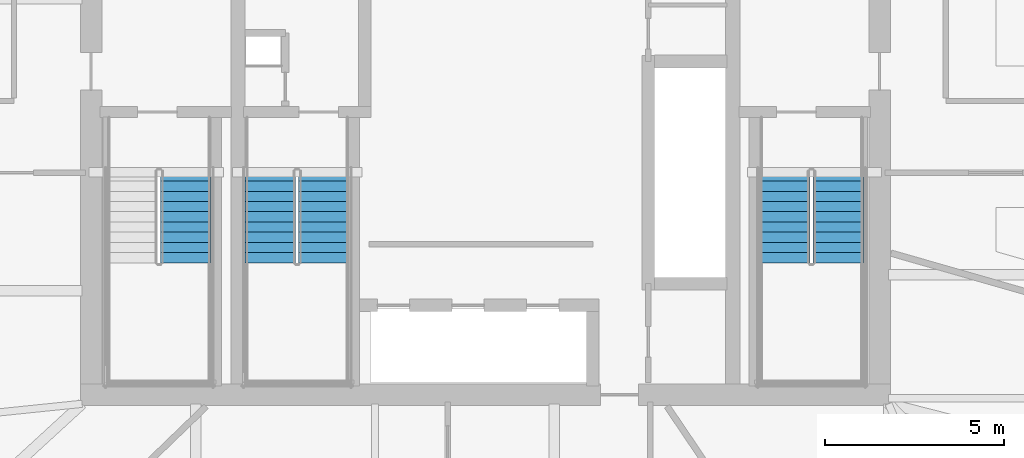
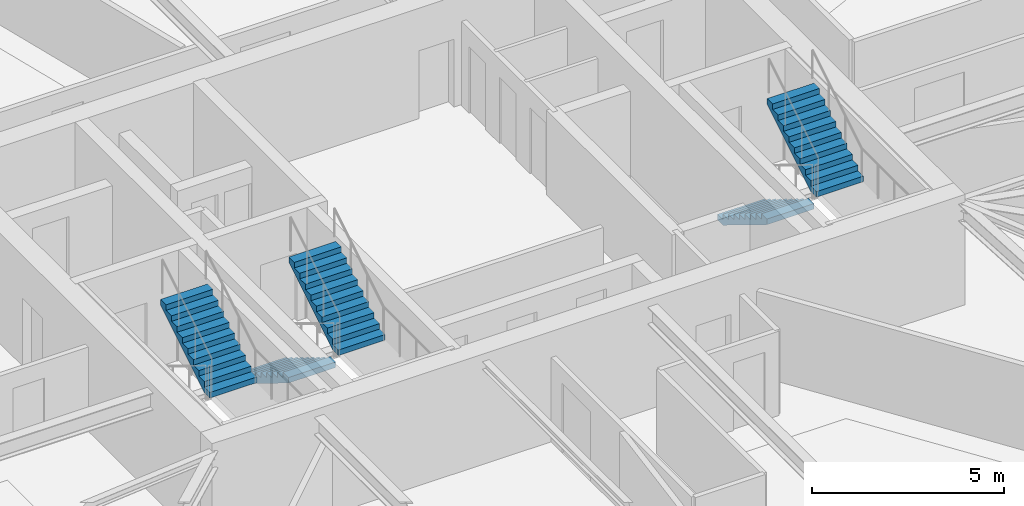
# One storey, part 19 of 22: 5 stair flights, 3 elements without a shape of their own.
"""IFC4 building model written with IfcOpenShell, lengths in metres."""

from ifc_helpers import new_model, si_unit, direction, frame, origin, place, context, subcontext, project, spatial, polyline, outline, extrude, material, type_object, element, aggregate, save


model = new_model("IFC4")

# Units and contexts
model_context = context("Model", 3, precision=1e-05, world=origin(), true_north=direction((0.0, 1.0)))
body_context = subcontext(model_context, "Body", "Model", "MODEL_VIEW")
ifc_project = project(units=[si_unit("LENGTHUNIT", "METRE"), si_unit("AREAUNIT", "SQUARE_METRE"), si_unit("VOLUMEUNIT", "CUBIC_METRE"), si_unit("PLANEANGLEUNIT", "RADIAN"), si_unit("MASSUNIT", "GRAM", prefix="KILO")], contexts=[model_context])

# Site, building, storey
site_placement = place(None, origin())
site = spatial("IfcSite", under=ifc_project, at=site_placement, CompositionType="ELEMENT")
building_placement = place(site_placement, origin())
building = spatial("IfcBuilding", under=site, at=building_placement, Name="Bramvorn Convention Spire", CompositionType="ELEMENT")
storey_placement = place(building_placement, frame((0.0, 0.0, 141.300048828125)))
storey = spatial("IfcBuildingStorey", under=building, at=storey_placement, Name="L35", CompositionType="ELEMENT", Elevation=141.300048828125)

# Stair, stair flight
ifc_material_1 = material(Name="Concrete C40/50 Precast Stair", Category="concrete")
stair_type = type_object("IfcStairType", Name="ST-TOWER-1550", PredefinedType="HALF_TURN_STAIR", material=ifc_material_1)
stair_1_placement = place(storey_placement, origin())
stair_1 = element("IfcStair", 1, at=stair_1_placement, inside=storey, type_object=stair_type, Name="L35 Protected Exit Stair ST1", PredefinedType="HALF_TURN_STAIR")
ifc_material_2 = material(Name="Concrete C40/50 Precast Stair Flight", Category="concrete")
stair_flight_type = type_object("IfcStairFlightType", Name="STF-TOWER-1550", PredefinedType="STRAIGHT", material=ifc_material_2)
stair_flight_1_placement = place(storey_placement, frame((29.64501953125, 22.485107421875, 1.75), z_axis=(0.0, 0.0, 1.0), x_axis=(0.0, 1.0, 0.0)))
stair_flight_1 = element("IfcStairFlight", 2, at=stair_flight_1_placement, type_object=stair_flight_type, Name="ST1 flight 2", NumberOfRisers=10, NumberOfTreads=9, PredefinedType="STRAIGHT", RiserHeight=0.175, TreadLength=0.285, context=body_context, shape_type="SweptSolid", body=[
    extrude(outline(polyline([(0.0, 0.0), (0.0, 0.175048828125), (0.284912109375, 0.175048828125), (0.284912109375, 0.35009765625), (0.570068359375, 0.35009765625), (0.570068359375, 0.52490234375), (0.85498046875, 0.52490234375), (0.85498046875, 0.699951171875), (1.139892578125, 0.699951171875), (1.139892578125, 0.875), (1.425048828125, 0.875), (1.425048828125, 1.050048828125), (1.7099609375, 1.050048828125), (1.7099609375, 1.22509765625), (1.9951171875, 1.22509765625), (1.9951171875, 1.39990234375), (2.280029296875, 1.39990234375), (2.280029296875, 1.574951171875), (2.56494140625, 1.574951171875), (2.56494140625, 1.75), (2.56494140625, 1.399169921875), (0.286376953125, 0.0), (0.0, 0.0)])), frame((0.0, 0.705078125, 0.0), z_axis=(0.0, -1.0, 0.0), x_axis=(1.0, 0.0, 0.0)), (0.0, 0.0, 1.0), 1.409912109375),
])
aggregate(stair_1, [stair_flight_1])

# Stair, stair flights
stair_2_placement = place(storey_placement, origin())
stair_2 = element("IfcStair", 3, at=stair_2_placement, inside=storey, type_object=stair_type, Name="L35 Protected Exit Stair ST2", PredefinedType="HALF_TURN_STAIR")
stair_flight_2_placement = place(storey_placement, frame((46.35498046875, 25.050048828125, 0.0), z_axis=(0.0, 0.0, 1.0), x_axis=(0.0, -1.0, 0.0)))
stair_flight_2 = element("IfcStairFlight", 4, at=stair_flight_2_placement, type_object=stair_flight_type, Name="ST2 flight 1", NumberOfRisers=10, NumberOfTreads=9, PredefinedType="STRAIGHT", RiserHeight=0.175, TreadLength=0.285, context=body_context, shape_type="SweptSolid", body=[
    extrude(outline(polyline([(0.0, 0.0), (0.0, 0.175048828125), (0.284912109375, 0.175048828125), (0.284912109375, 0.35009765625), (0.570068359375, 0.35009765625), (0.570068359375, 0.52490234375), (0.85498046875, 0.52490234375), (0.85498046875, 0.699951171875), (1.139892578125, 0.699951171875), (1.139892578125, 0.875), (1.425048828125, 0.875), (1.425048828125, 1.050048828125), (1.7099609375, 1.050048828125), (1.7099609375, 1.22509765625), (1.9951171875, 1.22509765625), (1.9951171875, 1.39990234375), (2.280029296875, 1.39990234375), (2.280029296875, 1.574951171875), (2.56494140625, 1.574951171875), (2.56494140625, 1.75), (2.56494140625, 1.399169921875), (0.286376953125, 0.0), (0.0, 0.0)])), frame((0.0, 0.705078125, 0.0), z_axis=(0.0, -1.0, 0.0), x_axis=(1.0, 0.0, 0.0)), (0.0, 0.0, 1.0), 1.409912109375),
])
stair_flight_3_placement = place(storey_placement, frame((47.844970703125, 22.485107421875, 1.75), z_axis=(0.0, 0.0, 1.0), x_axis=(0.0, 1.0, 0.0)))
stair_flight_3 = element("IfcStairFlight", 5, at=stair_flight_3_placement, type_object=stair_flight_type, Name="ST2 flight 2", NumberOfRisers=10, NumberOfTreads=9, PredefinedType="STRAIGHT", RiserHeight=0.175, TreadLength=0.285, context=body_context, shape_type="SweptSolid", body=[
    extrude(outline(polyline([(0.0, 0.0), (0.0, 0.175048828125), (0.284912109375, 0.175048828125), (0.284912109375, 0.35009765625), (0.570068359375, 0.35009765625), (0.570068359375, 0.52490234375), (0.85498046875, 0.52490234375), (0.85498046875, 0.699951171875), (1.139892578125, 0.699951171875), (1.139892578125, 0.875), (1.425048828125, 0.875), (1.425048828125, 1.050048828125), (1.7099609375, 1.050048828125), (1.7099609375, 1.22509765625), (1.9951171875, 1.22509765625), (1.9951171875, 1.39990234375), (2.280029296875, 1.39990234375), (2.280029296875, 1.574951171875), (2.56494140625, 1.574951171875), (2.56494140625, 1.75), (2.56494140625, 1.399169921875), (0.286376953125, 0.0), (0.0, 0.0)])), frame((0.0, 0.705078125, 0.0), z_axis=(0.0, -1.0, 0.0), x_axis=(1.0, 0.0, 0.0)), (0.0, 0.0, 1.0), 1.409912109375),
])
aggregate(stair_2, [stair_flight_2, stair_flight_3])

stair_3_placement = place(storey_placement, origin())
stair_3 = element("IfcStair", 6, at=stair_3_placement, inside=storey, type_object=stair_type, Name="L35 Protected Exit Stair ST3", PredefinedType="HALF_TURN_STAIR")
stair_flight_4_placement = place(storey_placement, frame((32.0048828125, 25.050048828125, 0.0), z_axis=(0.0, 0.0, 1.0), x_axis=(0.0, -1.0, 0.0)))
stair_flight_4 = element("IfcStairFlight", 7, at=stair_flight_4_placement, type_object=stair_flight_type, Name="ST3 flight 1", NumberOfRisers=10, NumberOfTreads=9, PredefinedType="STRAIGHT", RiserHeight=0.175, TreadLength=0.285, context=body_context, shape_type="SweptSolid", body=[
    extrude(outline(polyline([(0.0, 0.0), (0.0, 0.175048828125), (0.284912109375, 0.175048828125), (0.284912109375, 0.35009765625), (0.570068359375, 0.35009765625), (0.570068359375, 0.52490234375), (0.85498046875, 0.52490234375), (0.85498046875, 0.699951171875), (1.139892578125, 0.699951171875), (1.139892578125, 0.875), (1.425048828125, 0.875), (1.425048828125, 1.050048828125), (1.7099609375, 1.050048828125), (1.7099609375, 1.22509765625), (1.9951171875, 1.22509765625), (1.9951171875, 1.39990234375), (2.280029296875, 1.39990234375), (2.280029296875, 1.574951171875), (2.56494140625, 1.574951171875), (2.56494140625, 1.75), (2.56494140625, 1.399169921875), (0.286376953125, 0.0), (0.0, 0.0)])), frame((0.0, 0.705078125, 0.0), z_axis=(0.0, -1.0, 0.0), x_axis=(1.0, 0.0, 0.0)), (0.0, 0.0, 1.0), 1.409912109375),
])
stair_flight_5_placement = place(storey_placement, frame((33.4951171875, 22.485107421875, 1.75), z_axis=(0.0, 0.0, 1.0), x_axis=(0.0, 1.0, 0.0)))
stair_flight_5 = element("IfcStairFlight", 8, at=stair_flight_5_placement, type_object=stair_flight_type, Name="ST3 flight 2", NumberOfRisers=10, NumberOfTreads=9, PredefinedType="STRAIGHT", RiserHeight=0.175, TreadLength=0.285, context=body_context, shape_type="SweptSolid", body=[
    extrude(outline(polyline([(0.0, 0.0), (0.0, 0.175048828125), (0.284912109375, 0.175048828125), (0.284912109375, 0.35009765625), (0.570068359375, 0.35009765625), (0.570068359375, 0.52490234375), (0.85498046875, 0.52490234375), (0.85498046875, 0.699951171875), (1.139892578125, 0.699951171875), (1.139892578125, 0.875), (1.425048828125, 0.875), (1.425048828125, 1.050048828125), (1.7099609375, 1.050048828125), (1.7099609375, 1.22509765625), (1.9951171875, 1.22509765625), (1.9951171875, 1.39990234375), (2.280029296875, 1.39990234375), (2.280029296875, 1.574951171875), (2.56494140625, 1.574951171875), (2.56494140625, 1.75), (2.56494140625, 1.399169921875), (0.286376953125, 0.0), (0.0, 0.0)])), frame((0.0, 0.705078125, 0.0), z_axis=(0.0, -1.0, 0.0), x_axis=(1.0, 0.0, 0.0)), (0.0, 0.0, 1.0), 1.409912109375),
])
aggregate(stair_3, [stair_flight_4, stair_flight_5])

save(model, "model.ifc")
